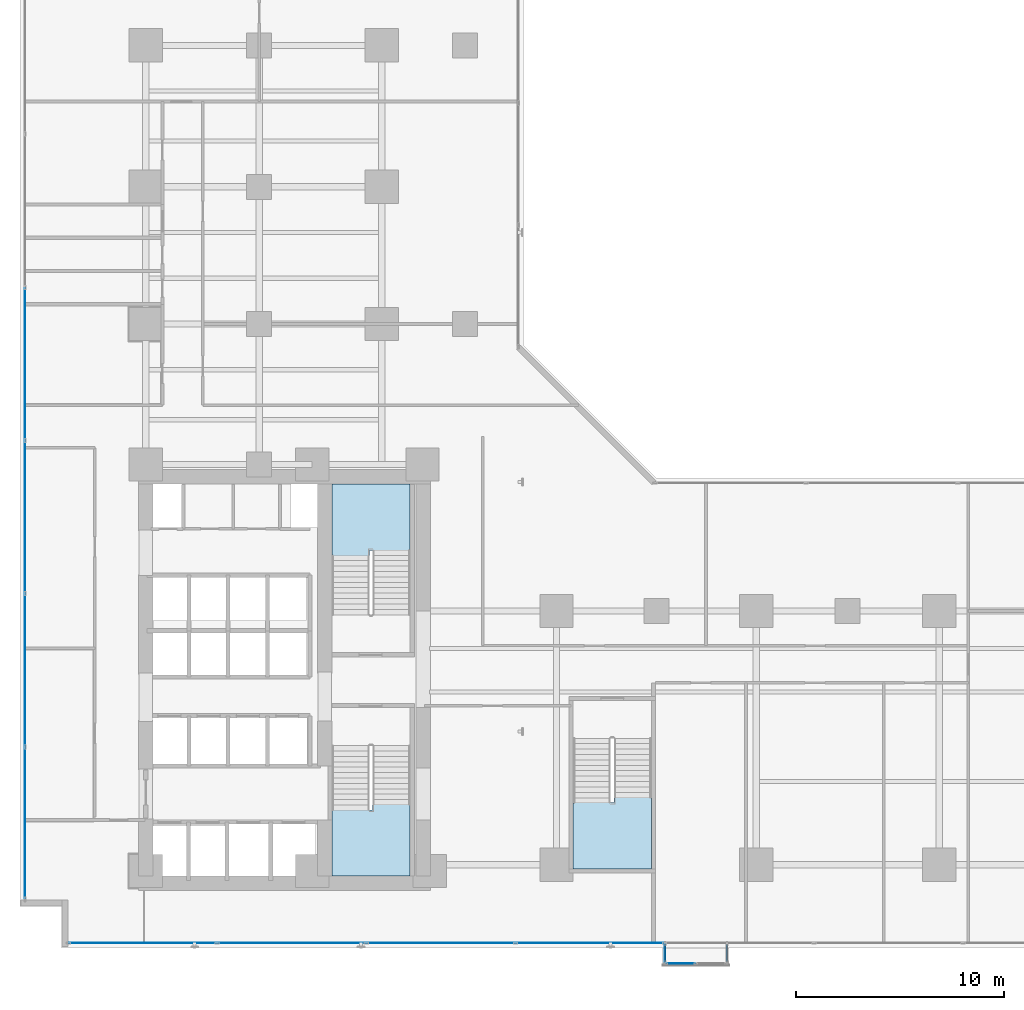
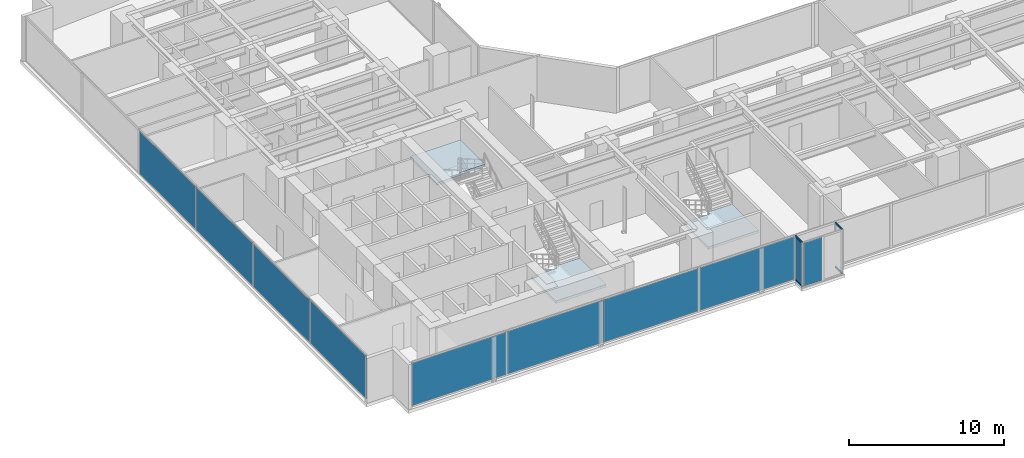
# One storey, part 20 of 31: 10 plates, 4 members, 3 slabs, 8 elements without a shape of their own.
"""IFC4 building model written with IfcOpenShell, lengths in metres."""

from ifc_helpers import new_model, si_unit, direction, frame, origin, origin_with_axes, origin_2d, place, context, subcontext, project, spatial, polyline, rectangle, hollow_rectangle, outline, extrude, source, transform, mapped, material, layer, layer_set, material_profile, profile_set, type_object, element, aggregate, save


model = new_model("IFC4")

# Units and contexts
model_context = context("Model", 3, precision=1e-05, world=origin(), true_north=direction((0.0, 1.0)))
body_context = subcontext(model_context, "Body", "Model", "MODEL_VIEW")
ifc_project = project(units=[si_unit("LENGTHUNIT", "METRE"), si_unit("AREAUNIT", "SQUARE_METRE"), si_unit("VOLUMEUNIT", "CUBIC_METRE"), si_unit("PLANEANGLEUNIT", "RADIAN"), si_unit("MASSUNIT", "GRAM", prefix="KILO")], contexts=[model_context])

# Site, building, storey
site_placement = place(None, origin())
site = spatial("IfcSite", under=ifc_project, at=site_placement, CompositionType="ELEMENT")
building_placement = place(site_placement, origin())
building = spatial("IfcBuilding", under=site, at=building_placement, Name="Kolvaren Waterfront Exchange", CompositionType="ELEMENT")
storey_placement = place(building_placement, frame((0.0, 0.0, 67.60009765625)))
storey = spatial("IfcBuildingStorey", under=building, at=storey_placement, Name="L17", CompositionType="ELEMENT", Elevation=67.60009765625)

# Curtain wall, members
ifc_material_1 = material(Name="Anodised bronze aluminium 6063-T6", Category="aluminium")
ifc_layer_1 = layer(ifc_material_1, 0.219970703125, Name="Anodised bronze aluminium 6063-T6")
ifc_layer_set_1 = layer_set([ifc_layer_1], Name="Anodised bronze aluminium 6063-T6")
curtain_wall_type_1 = type_object("IfcCurtainWallType", Name="ARC-CW-SYS3", PredefinedType="USERDEFINED", material=ifc_layer_set_1)
curtain_wall_1_placement = place(storey_placement, origin())
curtain_wall_1 = element("IfcCurtainWall", 1, at=curtain_wall_1_placement, inside=storey, type_object=curtain_wall_type_1, Name="L17 stick curtain wall CW3 (CW-L17-BOX-W)", ObjectType="STICK CURTAIN WALL", PredefinedType="USERDEFINED")
ifc_material_profile = material_profile(ifc_material_1, hollow_rectangle(XDim=0.06494140625, YDim=0.1298828125, WallThickness=0.00390625, at=origin_2d()), Name="ALU-TRN-130x65x4")
ifc_profile_set = profile_set([ifc_material_profile], Name="Anodised bronze aluminium 6063-T6")
member_type = type_object("IfcMemberType", Name="ARC-CWT-130", PredefinedType="USERDEFINED", material=ifc_profile_set)
shared_shape_1 = source(origin_with_axes(), body_context, "Body", "SweptSolid", [
    extrude(hollow_rectangle(XDim=0.06494140625, YDim=0.1298828125, WallThickness=0.00390625, at=origin_2d()), origin(), (0.0, 0.0, 1.0), 0.830078125),
])
member_1_placement = place(storey_placement, frame((32.409912109375, 1.364990234375, 0.032470703125), z_axis=(0.0, -1.0, 0.0), x_axis=(1.0, 0.0, 0.0)))
member_1 = element("IfcMember", 2, at=member_1_placement, type_object=member_type, Name="CW3 transom 1.1", ObjectType="TRANSOM", PredefinedType="USERDEFINED", context=body_context, shape_type="MappedRepresentation", body=[
    mapped(shared_shape_1, transform((0.0, 0.0, 0.0), x_axis=(1.0, 0.0, 0.0), y_axis=(0.0, 1.0, 0.0), z_axis=(0.0, 0.0, 1.0), scale=1.0)),
])
member_2_placement = place(storey_placement, frame((32.409912109375, 1.364990234375, 3.50732421875), z_axis=(0.0, -1.0, 0.0), x_axis=(1.0, 0.0, 0.0)))
member_2 = element("IfcMember", 3, at=member_2_placement, type_object=member_type, Name="CW3 transom 1.2", ObjectType="TRANSOM", PredefinedType="USERDEFINED", context=body_context, shape_type="MappedRepresentation", body=[
    mapped(shared_shape_1, transform((0.0, 0.0, 0.0), x_axis=(1.0, 0.0, 0.0), y_axis=(0.0, 1.0, 0.0), z_axis=(0.0, 0.0, 1.0), scale=1.0)),
])

curtain_wall_2_placement = place(storey_placement, origin())
curtain_wall_2 = element("IfcCurtainWall", 4, at=curtain_wall_2_placement, inside=storey, type_object=curtain_wall_type_1, Name="L17 stick curtain wall CW3 (CW-L17-BOX-E)", ObjectType="STICK CURTAIN WALL", PredefinedType="USERDEFINED")
member_3_placement = place(storey_placement, frame((35.389892578125, 0.534912109375, 0.032470703125), z_axis=(0.0, 1.0, 0.0), x_axis=(-1.0, 0.0, 0.0)))
member_3 = element("IfcMember", 5, at=member_3_placement, type_object=member_type, Name="CW3 transom 1.1", ObjectType="TRANSOM", PredefinedType="USERDEFINED", context=body_context, shape_type="MappedRepresentation", body=[
    mapped(shared_shape_1, transform((0.0, 0.0, 0.0), x_axis=(1.0, 0.0, 0.0), y_axis=(0.0, 1.0, 0.0), z_axis=(0.0, 0.0, 1.0), scale=1.0)),
])
member_4_placement = place(storey_placement, frame((35.389892578125, 0.534912109375, 3.50732421875), z_axis=(0.0, 1.0, 0.0), x_axis=(-1.0, 0.0, 0.0)))
member_4 = element("IfcMember", 6, at=member_4_placement, type_object=member_type, Name="CW3 transom 1.2", ObjectType="TRANSOM", PredefinedType="USERDEFINED", context=body_context, shape_type="MappedRepresentation", body=[
    mapped(shared_shape_1, transform((0.0, 0.0, 0.0), x_axis=(1.0, 0.0, 0.0), y_axis=(0.0, 1.0, 0.0), z_axis=(0.0, 0.0, 1.0), scale=1.0)),
])
aggregate(curtain_wall_2, [member_3, member_4])

# Stair, slab
ifc_material_2 = material(Name="Concrete C40/50", Category="concrete")
stair_type = type_object("IfcStairType", Name="ARC-STAIR-3800", PredefinedType="HALF_TURN_STAIR", material=ifc_material_2)
stair_1_placement = place(storey_placement, origin())
stair_1 = element("IfcStair", 7, at=stair_1_placement, inside=storey, type_object=stair_type, Name="L17 Smoke-proof exit stair ST1", PredefinedType="HALF_TURN_STAIR")
ifc_layer_2 = layer(ifc_material_2, 0.199951171875, Name="Concrete C40/50")
ifc_layer_set_2 = layer_set([ifc_layer_2], Name="Concrete C40/50")
slab_type = type_object("IfcSlabType", Name="STR-LANDING-200", PredefinedType="LANDING", material=ifc_layer_set_2)
slab_1_placement = place(storey_placement, frame((0.0, 0.0, 1.77587890625)))
slab_1 = element("IfcSlab", 8, at=slab_1_placement, type_object=slab_type, Name="ST1 landing 1", PredefinedType="LANDING", context=body_context, shape_type="SweptSolid", body=[
    extrude(outline(polyline([(16.39990234375, 7.840087890625), (16.39990234375, 4.64990234375), (20.159912109375, 4.64990234375), (20.159912109375, 8.10009765625), (18.360107421875, 8.10009765625), (18.360107421875, 7.840087890625), (16.39990234375, 7.840087890625)])), origin(), (0.0, 0.0, 1.0), 0.199951171875),
])
aggregate(stair_1, [slab_1])

stair_2_placement = place(storey_placement, origin())
stair_2 = element("IfcStair", 9, at=stair_2_placement, inside=storey, type_object=stair_type, Name="L17 Smoke-proof exit stair ST2", PredefinedType="HALF_TURN_STAIR")
slab_2_placement = place(storey_placement, frame((0.0, 0.0, 1.77587890625)))
slab_2 = element("IfcSlab", 10, at=slab_2_placement, type_object=slab_type, Name="ST2 landing 1", PredefinedType="LANDING", context=body_context, shape_type="SweptSolid", body=[
    extrude(outline(polyline([(20.159912109375, 20.31005859375), (20.159912109375, 23.5), (16.39990234375, 23.5), (16.39990234375, 20.050048828125), (18.199951171875, 20.050048828125), (18.199951171875, 20.31005859375), (20.159912109375, 20.31005859375)])), origin(), (0.0, 0.0, 1.0), 0.199951171875),
])
aggregate(stair_2, [slab_2])

stair_3_placement = place(storey_placement, origin())
stair_3 = element("IfcStair", 11, at=stair_3_placement, inside=storey, type_object=stair_type, Name="L17 Exit stair ST3", PredefinedType="HALF_TURN_STAIR")
slab_3_placement = place(storey_placement, frame((0.0, 0.0, 1.77587890625)))
slab_3 = element("IfcSlab", 12, at=slab_3_placement, type_object=slab_type, Name="ST3 landing 1", PredefinedType="LANDING", context=body_context, shape_type="SweptSolid", body=[
    extrude(outline(polyline([(28.0, 8.18994140625), (28.0, 5.0), (31.760009765625, 5.0), (31.760009765625, 8.449951171875), (29.9599609375, 8.449951171875), (29.9599609375, 8.18994140625), (28.0, 8.18994140625)])), origin(), (0.0, 0.0, 1.0), 0.199951171875),
])
aggregate(stair_3, [slab_3])

# Curtain wall, plates
ifc_layer_3 = layer(ifc_material_1, 0.219970703125, Name="Anodised bronze aluminium 6063-T6")
ifc_layer_set_3 = layer_set([ifc_layer_3], Name="Anodised bronze aluminium 6063-T6")
curtain_wall_type_2 = type_object("IfcCurtainWallType", Name="ARC-CW-SYS1", PredefinedType="USERDEFINED", material=ifc_layer_set_3)
curtain_wall_3_placement = place(storey_placement, origin())
curtain_wall_3 = element("IfcCurtainWall", 13, at=curtain_wall_3_placement, inside=storey, type_object=curtain_wall_type_2, Name="L17 stick curtain wall CW1 (CW-L17-S)", ObjectType="STICK CURTAIN WALL", PredefinedType="USERDEFINED")
ifc_material_3 = material(Name="Bronze solar control vision glass", Category="aluminium")
ifc_layer_4 = layer(ifc_material_3, 0.028076171875, Name="Bronze solar control vision glass")
ifc_layer_set_4 = layer_set([ifc_layer_4], Name="Bronze solar control vision glass")
plate_type_1 = type_object("IfcPlateType", Name="ARC-CWP-28", PredefinedType="CURTAIN_PANEL", material=ifc_layer_set_4)
shared_shape_2 = source(origin_with_axes(), body_context, "Body", "SweptSolid", [
    extrude(rectangle(XDim=7.054931640625, YDim=0.028076171875, at=origin_2d()), origin(), (0.0, 0.0, 1.0), 3.389892578125),
])
plate_1_placement = place(storey_placement, frame((7.3076171875, 1.43994140625, 0.0751953125), z_axis=(0.0, 0.0, 1.0), x_axis=(1.0, 0.0, 0.0)))
plate_1 = element("IfcPlate", 14, at=plate_1_placement, type_object=plate_type_1, Name="CW1 panel 1.1", PredefinedType="CURTAIN_PANEL", context=body_context, shape_type="MappedRepresentation", body=[
    mapped(shared_shape_2, transform((0.0, 0.0, 0.0), x_axis=(1.0, 0.0, 0.0), y_axis=(0.0, 1.0, 0.0), z_axis=(0.0, 0.0, 1.0), scale=1.0)),
])
shared_shape_3 = source(origin_with_axes(), body_context, "Body", "SweptSolid", [
    extrude(rectangle(XDim=7.094970703125, YDim=0.028076171875, at=origin_2d()), origin(), (0.0, 0.0, 1.0), 3.389892578125),
])
plate_2_placement = place(storey_placement, frame((14.46240234375, 1.43994140625, 0.0751953125), z_axis=(0.0, 0.0, 1.0), x_axis=(1.0, 0.0, 0.0)))
plate_2 = element("IfcPlate", 15, at=plate_2_placement, type_object=plate_type_1, Name="CW1 panel 2.1", PredefinedType="CURTAIN_PANEL", context=body_context, shape_type="MappedRepresentation", body=[
    mapped(shared_shape_3, transform((0.0, 0.0, 0.0), x_axis=(1.0, 0.0, 0.0), y_axis=(0.0, 1.0, 0.0), z_axis=(0.0, 0.0, 1.0), scale=1.0)),
])
plate_3_placement = place(storey_placement, frame((21.637451171875, 1.43994140625, 0.0751953125), z_axis=(0.0, 0.0, 1.0), x_axis=(1.0, 0.0, 0.0)))
plate_3 = element("IfcPlate", 16, at=plate_3_placement, type_object=plate_type_1, Name="CW1 panel 3.1", PredefinedType="CURTAIN_PANEL", context=body_context, shape_type="MappedRepresentation", body=[
    mapped(shared_shape_3, transform((0.0, 0.0, 0.0), x_axis=(1.0, 0.0, 0.0), y_axis=(0.0, 1.0, 0.0), z_axis=(0.0, 0.0, 1.0), scale=1.0)),
])
plate_4_placement = place(storey_placement, frame((28.8125, 1.43994140625, 0.0751953125), z_axis=(0.0, 0.0, 1.0), x_axis=(1.0, 0.0, 0.0)))
plate_4 = element("IfcPlate", 17, at=plate_4_placement, type_object=plate_type_1, Name="CW1 panel 4.1", PredefinedType="CURTAIN_PANEL", context=body_context, shape_type="MappedRepresentation", body=[
    mapped(shared_shape_3, transform((0.0, 0.0, 0.0), x_axis=(1.0, 0.0, 0.0), y_axis=(0.0, 1.0, 0.0), z_axis=(0.0, 0.0, 1.0), scale=1.0)),
])
aggregate(curtain_wall_3, [plate_1, plate_2, plate_3, plate_4])

ifc_material_4 = material(Name="Anodised aluminium 6063-T6", Category="aluminium")
ifc_layer_5 = layer(ifc_material_4, 0.219970703125, Name="Anodised aluminium 6063-T6")
ifc_layer_set_5 = layer_set([ifc_layer_5], Name="Anodised aluminium 6063-T6")
curtain_wall_type_3 = type_object("IfcCurtainWallType", Name="ARC-CW-SYS2", PredefinedType="USERDEFINED", material=ifc_layer_set_5)
curtain_wall_4_placement = place(storey_placement, origin())
curtain_wall_4 = element("IfcCurtainWall", 18, at=curtain_wall_4_placement, inside=storey, type_object=curtain_wall_type_3, Name="L17 stick curtain wall CW2 (CW-L17-W)", ObjectType="STICK CURTAIN WALL", PredefinedType="USERDEFINED")
ifc_material_5 = material(Name="Acoustic laminated vision glass", Category="glass")
ifc_layer_6 = layer(ifc_material_5, 0.031982421875, Name="Acoustic laminated vision glass")
ifc_layer_set_6 = layer_set([ifc_layer_6], Name="Acoustic laminated vision glass")
plate_type_2 = type_object("IfcPlateType", Name="ARC-CWP-32", PredefinedType="CURTAIN_PANEL", material=ifc_layer_set_6)
shared_shape_4 = source(origin_with_axes(), body_context, "Body", "SweptSolid", [
    extrude(rectangle(XDim=7.24658203125, YDim=0.031982421875, at=origin_2d()), origin(), (0.0, 0.0, 1.0), 3.389892578125),
])
plate_5_placement = place(storey_placement, frame((1.639892578125, 7.203369140625, 0.0751953125), z_axis=(0.0, 0.0, 1.0), x_axis=(0.0, 1.0, 0.0)))
plate_5 = element("IfcPlate", 19, at=plate_5_placement, type_object=plate_type_2, Name="CW2 panel 1.1", PredefinedType="CURTAIN_PANEL", context=body_context, shape_type="MappedRepresentation", body=[
    mapped(shared_shape_4, transform((0.0, 0.0, 0.0), x_axis=(1.0, 0.0, 0.0), y_axis=(0.0, 1.0, 0.0), z_axis=(0.0, 0.0, 1.0), scale=1.0)),
])
shared_shape_5 = source(origin_with_axes(), body_context, "Body", "SweptSolid", [
    extrude(rectangle(XDim=7.28662109375, YDim=0.031982421875, at=origin_2d()), origin(), (0.0, 0.0, 1.0), 3.389892578125),
])
plate_6_placement = place(storey_placement, frame((1.639892578125, 14.550048828125, 0.0751953125), z_axis=(0.0, 0.0, 1.0), x_axis=(0.0, 1.0, 0.0)))
plate_6 = element("IfcPlate", 20, at=plate_6_placement, type_object=plate_type_2, Name="CW2 panel 2.1", PredefinedType="CURTAIN_PANEL", context=body_context, shape_type="MappedRepresentation", body=[
    mapped(shared_shape_5, transform((0.0, 0.0, 0.0), x_axis=(1.0, 0.0, 0.0), y_axis=(0.0, 1.0, 0.0), z_axis=(0.0, 0.0, 1.0), scale=1.0)),
])
plate_7_placement = place(storey_placement, frame((1.639892578125, 21.916748046875, 0.0751953125), z_axis=(0.0, 0.0, 1.0), x_axis=(0.0, 1.0, 0.0)))
plate_7 = element("IfcPlate", 21, at=plate_7_placement, type_object=plate_type_2, Name="CW2 panel 3.1", PredefinedType="CURTAIN_PANEL", context=body_context, shape_type="MappedRepresentation", body=[
    mapped(shared_shape_5, transform((0.0, 0.0, 0.0), x_axis=(1.0, 0.0, 0.0), y_axis=(0.0, 1.0, 0.0), z_axis=(0.0, 0.0, 1.0), scale=1.0)),
])
plate_8_placement = place(storey_placement, frame((1.639892578125, 29.283447265625, 0.0751953125), z_axis=(0.0, 0.0, 1.0), x_axis=(0.0, 1.0, 0.0)))
plate_8 = element("IfcPlate", 22, at=plate_8_placement, type_object=plate_type_2, Name="CW2 panel 4.1", PredefinedType="CURTAIN_PANEL", context=body_context, shape_type="MappedRepresentation", body=[
    mapped(shared_shape_5, transform((0.0, 0.0, 0.0), x_axis=(1.0, 0.0, 0.0), y_axis=(0.0, 1.0, 0.0), z_axis=(0.0, 0.0, 1.0), scale=1.0)),
])
aggregate(curtain_wall_4, [plate_5, plate_6, plate_7, plate_8])

# Plate
ifc_material_6 = material(Name="Bronze tinted bay-box vision glass", Category="aluminium")
ifc_layer_7 = layer(ifc_material_6, 0.02392578125, Name="Bronze tinted bay-box vision glass")
ifc_layer_set_7 = layer_set([ifc_layer_7], Name="Bronze tinted bay-box vision glass")
plate_type_3 = type_object("IfcPlateType", Name="ARC-CWP-24", PredefinedType="CURTAIN_PANEL", material=ifc_layer_set_7)
shared_shape_6 = source(origin_with_axes(), body_context, "Body", "SweptSolid", [
    extrude(rectangle(XDim=0.830078125, YDim=0.02392578125, at=origin_2d()), origin(), (0.0, 0.0, 1.0), 3.409912109375),
])
plate_9_placement = place(storey_placement, frame((32.409912109375, 0.949951171875, 0.06494140625), z_axis=(0.0, 0.0, 1.0), x_axis=(0.0, -1.0, 0.0)))
plate_9 = element("IfcPlate", 23, at=plate_9_placement, type_object=plate_type_3, Name="CW3 panel 1.1", PredefinedType="CURTAIN_PANEL", context=body_context, shape_type="MappedRepresentation", body=[
    mapped(shared_shape_6, transform((0.0, 0.0, 0.0), x_axis=(1.0, 0.0, 0.0), y_axis=(0.0, 1.0, 0.0), z_axis=(0.0, 0.0, 1.0), scale=1.0)),
])

aggregate(curtain_wall_1, [member_1, member_2, plate_9])

# Curtain wall, plate
curtain_wall_5_placement = place(storey_placement, origin())
curtain_wall_5 = element("IfcCurtainWall", 24, at=curtain_wall_5_placement, inside=storey, type_object=curtain_wall_type_1, Name="L17 stick curtain wall CW3 (CW-L17-BOX)", ObjectType="STICK CURTAIN WALL", PredefinedType="USERDEFINED")
shared_shape_7 = source(origin_with_axes(), body_context, "Body", "SweptSolid", [
    extrude(rectangle(XDim=1.37744140625, YDim=0.02392578125, at=origin_2d()), origin(), (0.0, 0.0, 1.0), 3.409912109375),
])
plate_10_placement = place(storey_placement, frame((33.173828125, 0.4599609375, 0.06494140625), z_axis=(0.0, 0.0, 1.0), x_axis=(1.0, 0.0, 0.0)))
plate_10 = element("IfcPlate", 25, at=plate_10_placement, type_object=plate_type_3, Name="CW3 panel 1.1", PredefinedType="CURTAIN_PANEL", context=body_context, shape_type="MappedRepresentation", body=[
    mapped(shared_shape_7, transform((0.0, 0.0, 0.0), x_axis=(1.0, 0.0, 0.0), y_axis=(0.0, 1.0, 0.0), z_axis=(0.0, 0.0, 1.0), scale=1.0)),
])
aggregate(curtain_wall_5, [plate_10])

save(model, "model.ifc")
